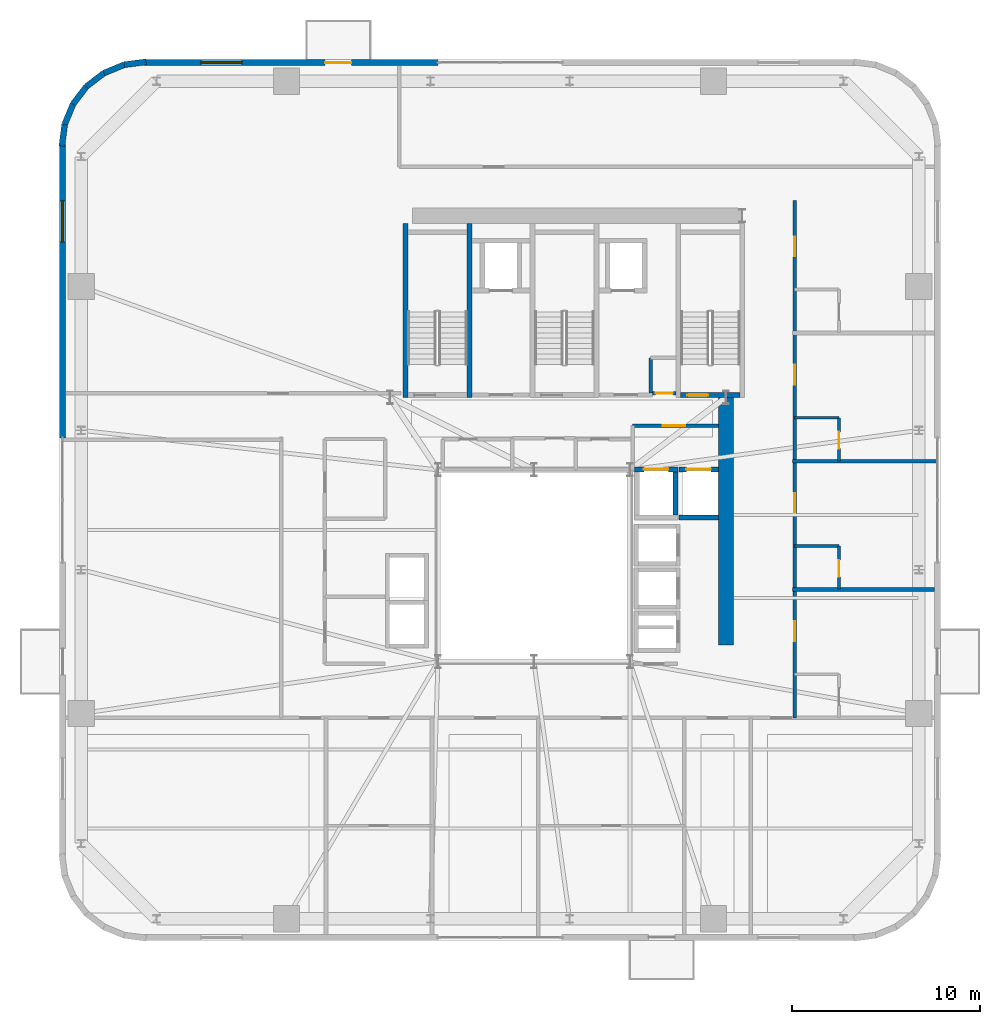
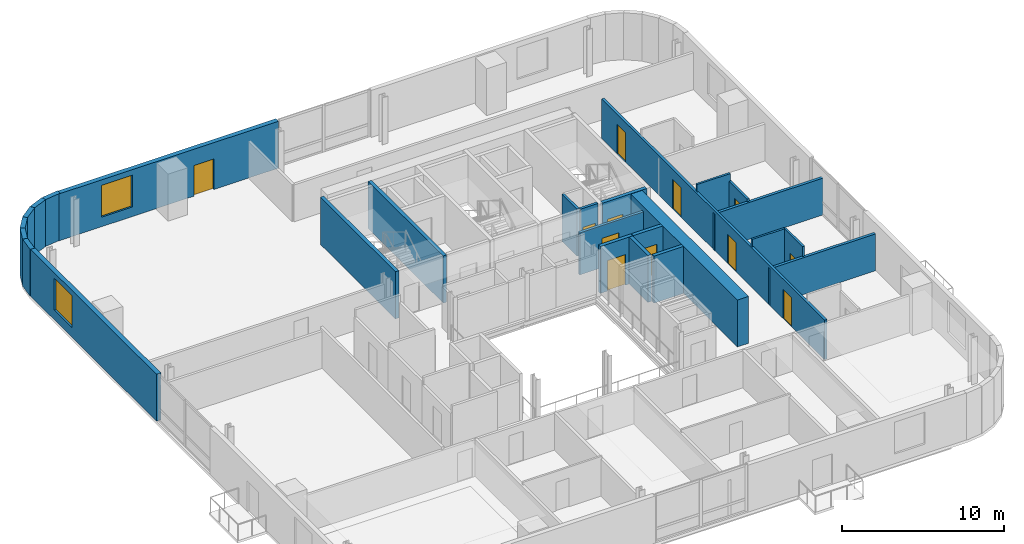
# One storey, part 10 of 15: 26 walls, 12 doors, 2 windows, 14 openings.
"""IFC4 building model written with IfcOpenShell, lengths in metres."""

from ifc_helpers import new_model, si_unit, direction, frame, frame_2d, origin, place, context, subcontext, project, spatial, rectangle, extrude, source, transform, mapped, material, layer, layer_set, type_object, element, fill, save


model = new_model("IFC4")

# Units and contexts
model_context = context("Model", 3, precision=1e-05, world=origin(), true_north=direction((0.0, 1.0)))
body_context = subcontext(model_context, "Body", "Model", "MODEL_VIEW")
ifc_project = project(units=[si_unit("LENGTHUNIT", "METRE"), si_unit("AREAUNIT", "SQUARE_METRE"), si_unit("VOLUMEUNIT", "CUBIC_METRE"), si_unit("PLANEANGLEUNIT", "RADIAN"), si_unit("MASSUNIT", "GRAM", prefix="KILO")], contexts=[model_context])

# Site, building, storey
site_placement = place(None, origin())
site = spatial("IfcSite", under=ifc_project, at=site_placement, CompositionType="ELEMENT")
building_placement = place(site_placement, origin())
building = spatial("IfcBuilding", under=site, at=building_placement, Name="Vardaveli Station Tower", CompositionType="ELEMENT")
storey_placement = place(building_placement, frame((0.0, 0.0, 229.800048828125)))
storey = spatial("IfcBuildingStorey", under=building, at=storey_placement, Name="L59", CompositionType="ELEMENT", Elevation=229.800048828125)

# Wall
ifc_material_1 = material(Name="Concrete C50/60", Category="concrete")
ifc_layer_1 = layer(ifc_material_1, 0.800048828125, Name="Concrete C50/60")
ifc_layer_set_1 = layer_set([ifc_layer_1], Name="Concrete C50/60")
wall_type_1 = type_object("IfcWallType", Name="WAL-CORE-800", PredefinedType="SHEAR", material=ifc_layer_set_1)
shared_shape_1 = source(origin(), body_context, "Body", "SweptSolid", [
    extrude(rectangle(XDim=13.14990234375, YDim=0.800048828125, at=frame_2d((6.574951171875, 0.0))), origin(), (0.0, 0.0, 1.0), 3.530029296875),
])
wall_1_placement = place(storey_placement, frame((46.5, 17.5, 0.0), z_axis=(0.0, 0.0, 1.0), x_axis=(0.0, 1.0, 0.0)))
element("IfcWall", 1, at=wall_1_placement, inside=storey, type_object=wall_type_1, Name="SW-L59-EAST2", PredefinedType="SHEAR", context=body_context, shape_type="MappedRepresentation", body=[
    mapped(shared_shape_1, transform((0.0, 0.0, 0.0), scale=1.0)),
])

# Wall, openings, door, window
ifc_material_2 = material(Name="Precast concrete C45/55", Category="concrete")
ifc_layer_2 = layer(ifc_material_2, 0.320068359375, Name="Precast concrete C45/55")
ifc_layer_set_2 = layer_set([ifc_layer_2], Name="Precast concrete C45/55")
wall_type_2 = type_object("IfcWallType", Name="WAL-EXT-STONE-320", PredefinedType="SOLIDWALL", material=ifc_layer_set_2)
shared_shape_2 = source(origin(), body_context, "Body", "SweptSolid", [
    extrude(rectangle(XDim=15.599853515625, YDim=0.320068359375, at=frame_2d((7.7998046875, 0.0))), origin(), (0.0, 0.0, 1.0), 3.530029296875),
])
wall_2_placement = place(storey_placement, frame((31.199951171875, 48.43994140625, 0.0), z_axis=(0.0, 0.0, 1.0), x_axis=(-1.0, 0.0, 0.0)))
wall_2 = element("IfcWall", 2, at=wall_2_placement, inside=storey, type_object=wall_type_2, Name="EW-L59-N2", PredefinedType="SOLIDWALL", context=body_context, shape_type="MappedRepresentation", body=[
    mapped(shared_shape_2, transform((0.0, 0.0, 0.0), scale=1.0)),
])
shared_shape_3 = source(origin(), body_context, "Body", "SweptSolid", [
    extrude(rectangle(XDim=1.39990234375, YDim=2.300048828125, at=frame_2d((0.699951171875, 1.14990234375))), frame((0.0, 0.169921875, 0.0), z_axis=(0.0, -1.0, 0.0), x_axis=(1.0, 0.0, 0.0)), (0.0, 0.0, 1.0), 0.340087890625),
])
opening_1_placement = place(wall_2_placement, frame((4.589599609375, 0.0, 0.0)))
opening_1 = element("IfcOpeningElement", 3, at=opening_1_placement, cuts=wall_2, Name="Opening D-09", PredefinedType="OPENING", context=body_context, shape_type="MappedRepresentation", body=[
    mapped(shared_shape_3, transform((0.0, 0.0, 0.0), scale=1.0)),
])
shared_shape_4 = source(origin(), body_context, "Body", "SweptSolid", [
    extrude(rectangle(XDim=2.199951171875, YDim=2.39990234375, at=frame_2d((1.10009765625, 1.199951171875))), frame((0.0, 0.169921875, 0.0), z_axis=(0.0, -1.0, 0.0), x_axis=(1.0, 0.0, 0.0)), (0.0, 0.0, 1.0), 0.340087890625),
])
opening_2_placement = place(wall_2_placement, frame((10.39501953125, 0.0, 0.719970703125)))
opening_2 = element("IfcOpeningElement", 4, at=opening_2_placement, cuts=wall_2, Name="Opening W-03", PredefinedType="OPENING", context=body_context, shape_type="MappedRepresentation", body=[
    mapped(shared_shape_4, transform((0.0, 0.0, 0.0), scale=1.0)),
])
ifc_material_3 = material(Name="Thermally broken aluminium glass", Category="aluminium")
door_type_1 = type_object("IfcDoorType", Name="DR-LOG-1400x2300", OperationType="DOUBLE_DOOR_SLIDING", PredefinedType="DOOR", material=ifc_material_3)
shared_shape_5 = source(origin(), body_context, "Body", "SweptSolid", [
    extrude(rectangle(XDim=1.39990234375, YDim=2.300048828125, at=frame_2d((0.699951171875, 1.14990234375))), frame((0.0, 0.02490234375, 0.0), z_axis=(0.0, -1.0, 0.0), x_axis=(1.0, 0.0, 0.0)), (0.0, 0.0, 1.0), 0.050048828125),
])
door_1_placement = place(opening_1_placement, frame((1.39990234375, 0.0, 0.0), z_axis=(0.0, 0.0, 1.0), x_axis=(-1.0, 0.0, 0.0)))
door_1 = element("IfcDoor", 5, at=door_1_placement, inside=storey, type_object=door_type_1, Name="DLG-L59-N", OperationType="DOUBLE_DOOR_SLIDING", OverallHeight=2.300048828125, OverallWidth=1.39990234375, PredefinedType="DOOR", context=body_context, shape_type="MappedRepresentation", body=[
    mapped(shared_shape_5, transform((0.0, 0.0, 0.0), scale=1.0)),
])
fill(opening_1, door_1)
ifc_material_4 = material(Name="Low-E solar-control glass", Category="glass")
window_type = type_object("IfcWindowType", Name="WIN-LOG-2200x2400", PartitioningType="SINGLE_PANEL", PredefinedType="WINDOW", material=ifc_material_4)
shared_shape_6 = source(origin(), body_context, "Body", "SweptSolid", [
    extrude(rectangle(XDim=2.199951171875, YDim=2.39990234375, at=frame_2d((1.10009765625, 1.199951171875))), frame((0.0, 0.030029296875, 0.0), z_axis=(0.0, -1.0, 0.0), x_axis=(1.0, 0.0, 0.0)), (0.0, 0.0, 1.0), 0.06005859375),
])
window_1_placement = place(opening_2_placement, origin())
window_1 = element("IfcWindow", 6, at=window_1_placement, inside=storey, type_object=window_type, Name="WN-L59-N2", OverallHeight=2.39990234375, OverallWidth=2.199951171875, PartitioningType="SINGLE_PANEL", PredefinedType="WINDOW", context=body_context, shape_type="MappedRepresentation", body=[
    mapped(shared_shape_6, transform((0.0, 0.0, 0.0), scale=1.0)),
])
fill(opening_2, window_1)

# Wall, opening, window
shared_shape_7 = source(origin(), body_context, "Body", "SweptSolid", [
    extrude(rectangle(XDim=15.60009765625, YDim=0.320068359375, at=frame_2d((7.800048828125, 0.0))), origin(), (0.0, 0.0, 1.0), 3.530029296875),
])
wall_3_placement = place(storey_placement, frame((11.260009765625, 44.10009765625, 0.0), z_axis=(0.0, 0.0, 1.0), x_axis=(0.0, -1.0, 0.0)))
wall_3 = element("IfcWall", 7, at=wall_3_placement, inside=storey, type_object=wall_type_2, Name="EW-L59-W1", PredefinedType="SOLIDWALL", context=body_context, shape_type="MappedRepresentation", body=[
    mapped(shared_shape_7, transform((0.0, 0.0, 0.0), scale=1.0)),
])
opening_3_placement = place(wall_3_placement, frame((3.0048828125, 0.0, 0.719970703125)))
opening_3 = element("IfcOpeningElement", 8, at=opening_3_placement, cuts=wall_3, Name="Opening W-03", PredefinedType="OPENING", context=body_context, shape_type="MappedRepresentation", body=[
    mapped(shared_shape_4, transform((0.0, 0.0, 0.0), scale=1.0)),
])
window_2_placement = place(opening_3_placement, origin())
window_2 = element("IfcWindow", 9, at=window_2_placement, inside=storey, type_object=window_type, Name="WN-L59-W1", OverallHeight=2.39990234375, OverallWidth=2.199951171875, PartitioningType="SINGLE_PANEL", PredefinedType="WINDOW", context=body_context, shape_type="MappedRepresentation", body=[
    mapped(shared_shape_6, transform((0.0, 0.0, 0.0), scale=1.0)),
])
fill(opening_3, window_2)

# Walls
shared_shape_8 = source(origin(), body_context, "Body", "SweptSolid", [
    extrude(rectangle(XDim=1.1689453125, YDim=0.320068359375, at=frame_2d((0.58447265625, 0.0))), origin(), (0.0, 0.0, 1.0), 3.530029296875),
])
wall_4_placement = place(storey_placement, frame((12.53125, 47.1689453125, 0.0), z_axis=(0.0, 0.0, 1.0), x_axis=(-0.608387696831, -0.793639975269, 0.0)))
element("IfcWall", 10, at=wall_4_placement, inside=storey, type_object=wall_type_2, Name="EW-L59-CR4-4", PredefinedType="SOLIDWALL", context=body_context, shape_type="MappedRepresentation", body=[
    mapped(shared_shape_8, transform((0.0, 0.0, 0.0), scale=1.0)),
])
shared_shape_9 = source(origin(), body_context, "Body", "SweptSolid", [
    extrude(rectangle(XDim=1.168701171875, YDim=0.320068359375, at=frame_2d((0.58447265625, 0.0))), origin(), (0.0, 0.0, 1.0), 3.530029296875),
])
wall_5_placement = place(storey_placement, frame((13.458740234375, 47.8798828125, 0.0), z_axis=(0.0, 0.0, 1.0), x_axis=(-0.793663520347, -0.608356981114, 0.0)))
element("IfcWall", 11, at=wall_5_placement, inside=storey, type_object=wall_type_2, Name="EW-L59-CR4-3", PredefinedType="SOLIDWALL", context=body_context, shape_type="MappedRepresentation", body=[
    mapped(shared_shape_9, transform((0.0, 0.0, 0.0), scale=1.0)),
])
shared_shape_10 = source(origin(), body_context, "Body", "SweptSolid", [
    extrude(rectangle(XDim=1.17041015625, YDim=0.320068359375, at=frame_2d((0.585205078125, 0.0))), origin(), (0.0, 0.0, 1.0), 3.530029296875),
])
for number, where, z_axis, x_axis, name in (
    (12, (15.700439453125, 48.4755859375, 0.0), (0.0, 0.0, 1.0), (-0.991735963317, -0.128295670475, 0.0), "EW-L59-CR4-1"),
    (13, (11.37451171875, 45.16015625, 0.0), (0.0, 0.0, 1.0), (-0.128295670475, -0.991735963317, 0.0), "EW-L59-CR4-6"),
):
    element("IfcWall", number, at=place(storey_placement, frame(where, z_axis=z_axis, x_axis=x_axis)), inside=storey, type_object=wall_type_2, Name=name, PredefinedType="SOLIDWALL", context=body_context, shape_type="MappedRepresentation", body=[
        mapped(shared_shape_10, transform((0.0, 0.0, 0.0), scale=1.0)),
    ])
shared_shape_11 = source(origin(), body_context, "Body", "SweptSolid", [
    extrude(rectangle(XDim=1.169189453125, YDim=0.320068359375, at=frame_2d((0.58447265625, 0.0))), origin(), (0.0, 0.0, 1.0), 3.530029296875),
])
for number, where, z_axis, x_axis, name in (
    (14, (14.539794921875, 48.325439453125, 0.0), (0.0, 0.0, 1.0), (-0.924552646638, -0.381054331552, 0.0), "EW-L59-CR4-2"),
    (15, (11.820068359375, 46.2412109375, 0.0), (0.0, 0.0, 1.0), (-0.381054331552, -0.924552646638, 0.0), "EW-L59-CR4-5"),
):
    element("IfcWall", number, at=place(storey_placement, frame(where, z_axis=z_axis, x_axis=x_axis)), inside=storey, type_object=wall_type_2, Name=name, PredefinedType="SOLIDWALL", context=body_context, shape_type="MappedRepresentation", body=[
        mapped(shared_shape_11, transform((0.0, 0.0, 0.0), scale=1.0)),
    ])
ifc_material_5 = material(Name="Concrete C40/50", Category="concrete")
ifc_layer_3 = layer(ifc_material_5, 0.25, Name="Concrete C40/50")
ifc_layer_set_3 = layer_set([ifc_layer_3], Name="Concrete C40/50")
wall_type_3 = type_object("IfcWallType", Name="WAL-SHAFT-250", PredefinedType="SOLIDWALL", material=ifc_layer_set_3)
shared_shape_12 = source(origin(), body_context, "Body", "SweptSolid", [
    extrude(rectangle(XDim=9.25, YDim=0.25, at=frame_2d((4.625, 0.0))), origin(), (0.0, 0.0, 1.0), 3.550048828125),
])
for number, where, z_axis, x_axis, name in (
    (16, (29.47509765625, 30.64990234375, 0.0), (0.0, 0.0, 1.0), (0.0, 1.0, 0.0), "W-L59-ST-1W"),
    (17, (32.875, 30.64990234375, 0.0), (0.0, 0.0, 1.0), (0.0, 1.0, 0.0), "W-L59-ST-1E"),
):
    element("IfcWall", number, at=place(storey_placement, frame(where, z_axis=z_axis, x_axis=x_axis)), inside=storey, type_object=wall_type_3, Name=name, PredefinedType="SOLIDWALL", context=body_context, shape_type="MappedRepresentation", body=[
        mapped(shared_shape_12, transform((0.0, 0.0, 0.0), scale=1.0)),
    ])

# Wall, opening, door
shared_shape_13 = source(origin(), body_context, "Body", "SweptSolid", [
    extrude(rectangle(XDim=3.14990234375, YDim=0.25, at=frame_2d((1.574951171875, 0.0))), origin(), (0.0, 0.0, 1.0), 3.550048828125),
])
wall_6_placement = place(storey_placement, frame((44.10009765625, 30.77490234375, 0.0), z_axis=(0.0, 0.0, 1.0), x_axis=(1.0, 0.0, 0.0)))
wall_6 = element("IfcWall", 18, at=wall_6_placement, inside=storey, type_object=wall_type_3, Name="W-L59-ST-3S", PredefinedType="SOLIDWALL", context=body_context, shape_type="MappedRepresentation", body=[
    mapped(shared_shape_13, transform((0.0, 0.0, 0.0), scale=1.0)),
])
shared_shape_14 = source(origin(), body_context, "Body", "SweptSolid", [
    extrude(rectangle(XDim=1.10009765625, YDim=2.199951171875, at=frame_2d((0.550048828125, 1.10009765625))), frame((0.0, 0.135009765625, 0.0), z_axis=(0.0, -1.0, 0.0), x_axis=(1.0, 0.0, 0.0)), (0.0, 0.0, 1.0), 0.27001953125),
])
opening_4_placement = place(wall_6_placement, frame((0.35009765625, 0.0, 0.0)))
opening_4 = element("IfcOpeningElement", 19, at=opening_4_placement, cuts=wall_6, Name="Opening D-04", PredefinedType="OPENING", context=body_context, shape_type="MappedRepresentation", body=[
    mapped(shared_shape_14, transform((0.0, 0.0, 0.0), scale=1.0)),
])
ifc_material_6 = material(Name="Steel smokeproof fire doorset", Category="steel")
door_type_2 = type_object("IfcDoorType", Name="DR-ST-1100x2200", OperationType="NOTDEFINED", PredefinedType="DOOR", material=ifc_material_6)
shared_shape_15 = source(origin(), body_context, "Body", "SweptSolid", [
    extrude(rectangle(XDim=1.10009765625, YDim=2.199951171875, at=frame_2d((0.550048828125, 1.10009765625))), frame((0.0, 0.02490234375, 0.0), z_axis=(0.0, -1.0, 0.0), x_axis=(1.0, 0.0, 0.0)), (0.0, 0.0, 1.0), 0.050048828125),
])
door_2_placement = place(opening_4_placement, origin())
door_2 = element("IfcDoor", 20, at=door_2_placement, inside=storey, type_object=door_type_2, Name="DST-3-L59", OperationType="SINGLE_SWING_LEFT", OverallHeight=2.199951171875, OverallWidth=1.10009765625, PredefinedType="DOOR", context=body_context, shape_type="MappedRepresentation", body=[
    mapped(shared_shape_15, transform((0.0, 0.0, 0.0), scale=1.0)),
])
fill(opening_4, door_2)

shared_shape_16 = source(origin(), body_context, "Body", "SweptSolid", [
    extrude(rectangle(XDim=2.300048828125, YDim=0.25, at=frame_2d((1.14990234375, 0.0))), origin(), (0.0, 0.0, 1.0), 3.530029296875),
])
wall_7_placement = place(storey_placement, frame((41.64990234375, 26.824951171875, 0.0), z_axis=(0.0, 0.0, 1.0), x_axis=(1.0, 0.0, 0.0)))
wall_7 = element("IfcWall", 21, at=wall_7_placement, inside=storey, type_object=wall_type_3, Name="SHW-SRV-01-L59-N", PredefinedType="SOLIDWALL", context=body_context, shape_type="MappedRepresentation", body=[
    mapped(shared_shape_16, transform((0.0, 0.0, 0.0), scale=1.0)),
])
shared_shape_17 = source(origin(), body_context, "Body", "SweptSolid", [
    extrude(rectangle(XDim=1.300048828125, YDim=2.300048828125, at=frame_2d((0.64990234375, 1.14990234375))), frame((0.0, 0.135009765625, 0.0), z_axis=(0.0, -1.0, 0.0), x_axis=(1.0, 0.0, 0.0)), (0.0, 0.0, 1.0), 0.27001953125),
])
opening_5_placement = place(wall_7_placement, frame((0.5, 0.0, 0.0)))
opening_5 = element("IfcOpeningElement", 22, at=opening_5_placement, cuts=wall_7, Name="Opening LD-03", PredefinedType="OPENING", context=body_context, shape_type="MappedRepresentation", body=[
    mapped(shared_shape_17, transform((0.0, 0.0, 0.0), scale=1.0)),
])
ifc_material_7 = material(Name="Brushed stainless steel", Category="steel")
door_type_3 = type_object("IfcDoorType", Name="DR-LD-1300x2300", OperationType="DOUBLE_DOOR_SLIDING", PredefinedType="DOOR", material=ifc_material_7)
shared_shape_18 = source(origin(), body_context, "Body", "SweptSolid", [
    extrude(rectangle(XDim=1.300048828125, YDim=2.300048828125, at=frame_2d((0.64990234375, 1.14990234375))), frame((0.0, 0.02490234375, 0.0), z_axis=(0.0, -1.0, 0.0), x_axis=(1.0, 0.0, 0.0)), (0.0, 0.0, 1.0), 0.050048828125),
])
door_3_placement = place(opening_5_placement, origin())
door_3 = element("IfcDoor", 23, at=door_3_placement, inside=storey, type_object=door_type_3, Name="LD-SRV-01-L59", OperationType="DOUBLE_DOOR_SLIDING", OverallHeight=2.300048828125, OverallWidth=1.300048828125, PredefinedType="DOOR", context=body_context, shape_type="MappedRepresentation", body=[
    mapped(shared_shape_18, transform((0.0, 0.0, 0.0), scale=1.0)),
])
fill(opening_5, door_3)

# Walls
wall_8_placement = place(storey_placement, frame((43.824951171875, 24.39990234375, 0.0), z_axis=(0.0, 0.0, 1.0), x_axis=(0.0, 1.0, 0.0)))
element("IfcWall", 24, at=wall_8_placement, inside=storey, type_object=wall_type_3, Name="SHW-SRV-01-L59-E", PredefinedType="SOLIDWALL", context=body_context, shape_type="MappedRepresentation", body=[
    mapped(shared_shape_16, transform((0.0, 0.0, 0.0), scale=1.0)),
])
shared_shape_19 = source(origin(), body_context, "Body", "SweptSolid", [
    extrude(rectangle(XDim=2.10009765625, YDim=0.25, at=frame_2d((1.050048828125, 0.0))), origin(), (0.0, 0.0, 1.0), 3.530029296875),
])
wall_9_placement = place(storey_placement, frame((44.0, 24.27490234375, 0.0), z_axis=(0.0, 0.0, 1.0), x_axis=(1.0, 0.0, 0.0)))
element("IfcWall", 25, at=wall_9_placement, inside=storey, type_object=wall_type_3, Name="SHW-SRV-02-L59-S", PredefinedType="SOLIDWALL", context=body_context, shape_type="MappedRepresentation", body=[
    mapped(shared_shape_19, transform((0.0, 0.0, 0.0), scale=1.0)),
])

# Wall, opening, door
wall_10_placement = place(storey_placement, frame((44.0, 26.824951171875, 0.0), z_axis=(0.0, 0.0, 1.0), x_axis=(1.0, 0.0, 0.0)))
wall_10 = element("IfcWall", 26, at=wall_10_placement, inside=storey, type_object=wall_type_3, Name="SHW-SRV-02-L59-N", PredefinedType="SOLIDWALL", context=body_context, shape_type="MappedRepresentation", body=[
    mapped(shared_shape_19, transform((0.0, 0.0, 0.0), scale=1.0)),
])
opening_6_placement = place(wall_10_placement, frame((0.39990234375, 0.0, 0.0)))
opening_6 = element("IfcOpeningElement", 27, at=opening_6_placement, cuts=wall_10, Name="Opening LD-03", PredefinedType="OPENING", context=body_context, shape_type="MappedRepresentation", body=[
    mapped(shared_shape_17, transform((0.0, 0.0, 0.0), scale=1.0)),
])
door_4_placement = place(opening_6_placement, origin())
door_4 = element("IfcDoor", 28, at=door_4_placement, inside=storey, type_object=door_type_3, Name="LD-SRV-02-L59", OperationType="DOUBLE_DOOR_SLIDING", OverallHeight=2.300048828125, OverallWidth=1.300048828125, PredefinedType="DOOR", context=body_context, shape_type="MappedRepresentation", body=[
    mapped(shared_shape_18, transform((0.0, 0.0, 0.0), scale=1.0)),
])
fill(opening_6, door_4)

ifc_material_8 = material(Name="Fire-rated gypsum stud partition")
ifc_layer_4 = layer(ifc_material_8, 0.179931640625, Name="Fire-rated gypsum stud partition")
ifc_layer_set_4 = layer_set([ifc_layer_4], Name="Fire-rated gypsum stud partition")
wall_type_4 = type_object("IfcWallType", Name="WAL-CORR-180", PredefinedType="PARTITIONING", material=ifc_layer_set_4)
shared_shape_20 = source(origin(), body_context, "Body", "SweptSolid", [
    extrude(rectangle(XDim=4.5478515625, YDim=0.179931640625, at=frame_2d((2.27392578125, 0.0))), origin(), (0.0, 0.0, 1.0), 3.161865234375),
])
wall_11_placement = place(storey_placement, frame((41.550048828125, 29.14990234375, 0.0), z_axis=(0.0, 0.0, 1.0), x_axis=(1.0, 0.0, 0.0)))
wall_11 = element("IfcWall", 29, at=wall_11_placement, inside=storey, type_object=wall_type_4, Name="W-L59-SVFN", PredefinedType="PARTITIONING", context=body_context, shape_type="MappedRepresentation", body=[
    mapped(shared_shape_20, transform((0.0, 0.0, 0.0), scale=1.0)),
])
shared_shape_21 = source(origin(), body_context, "Body", "SweptSolid", [
    extrude(rectangle(XDim=1.199951171875, YDim=2.199951171875, at=frame_2d((0.60009765625, 1.10009765625))), frame((0.0, 0.10009765625, 0.0), z_axis=(0.0, -1.0, 0.0), x_axis=(1.0, 0.0, 0.0)), (0.0, 0.0, 1.0), 0.199951171875),
])
opening_7_placement = place(wall_11_placement, frame((1.60009765625, 0.0, 0.0)))
opening_7 = element("IfcOpeningElement", 30, at=opening_7_placement, cuts=wall_11, Name="Opening D-03", PredefinedType="OPENING", context=body_context, shape_type="MappedRepresentation", body=[
    mapped(shared_shape_21, transform((0.0, 0.0, 0.0), scale=1.0)),
])
door_type_4 = type_object("IfcDoorType", Name="DR-FFL-1200x2200", OperationType="NOTDEFINED", PredefinedType="DOOR", material=ifc_material_6)
shared_shape_22 = source(origin(), body_context, "Body", "SweptSolid", [
    extrude(rectangle(XDim=1.199951171875, YDim=2.199951171875, at=frame_2d((0.60009765625, 1.10009765625))), frame((0.0, 0.02490234375, 0.0), z_axis=(0.0, -1.0, 0.0), x_axis=(1.0, 0.0, 0.0)), (0.0, 0.0, 1.0), 0.050048828125),
])
door_5_placement = place(opening_7_placement, origin())
door_5 = element("IfcDoor", 31, at=door_5_placement, inside=storey, type_object=door_type_4, Name="D-L59-SVF", OperationType="SINGLE_SWING_RIGHT", OverallHeight=2.199951171875, OverallWidth=1.199951171875, PredefinedType="DOOR", context=body_context, shape_type="MappedRepresentation", body=[
    mapped(shared_shape_22, transform((0.0, 0.0, 0.0), scale=1.0)),
])
fill(opening_7, door_5)

ifc_material_9 = material(Name="Moisture-resistant stud partition")
ifc_layer_5 = layer(ifc_material_9, 0.14990234375, Name="Moisture-resistant stud partition")
ifc_layer_set_5 = layer_set([ifc_layer_5], Name="Moisture-resistant stud partition")
wall_type_5 = type_object("IfcWallType", Name="WAL-WET-150", PredefinedType="PARTITIONING", material=ifc_layer_set_5)
shared_shape_23 = source(origin(), body_context, "Body", "SweptSolid", [
    extrude(rectangle(XDim=2.2900390625, YDim=0.14990234375, at=frame_2d((1.14501953125, 0.0))), origin(), (0.0, 0.0, 1.0), 2.971923828125),
])
wall_12_placement = place(storey_placement, frame((52.510009765625, 27.27490234375, 0.0), z_axis=(0.0, 0.0, 1.0), x_axis=(0.0, 1.0, 0.0)))
wall_12 = element("IfcWall", 32, at=wall_12_placement, inside=storey, type_object=wall_type_5, Name="W-L59-BE3-E", PredefinedType="PARTITIONING", context=body_context, shape_type="MappedRepresentation", body=[
    mapped(shared_shape_23, transform((0.0, 0.0, 0.0), scale=1.0)),
])
shared_shape_24 = source(origin(), body_context, "Body", "SweptSolid", [
    extrude(rectangle(XDim=0.89990234375, YDim=2.10009765625, at=frame_2d((0.449951171875, 1.050048828125))), frame((0.0, 0.0849609375, 0.0), z_axis=(0.0, -1.0, 0.0), x_axis=(1.0, 0.0, 0.0)), (0.0, 0.0, 1.0), 0.169921875),
])
opening_8_placement = place(wall_12_placement, frame((0.64990234375, 0.0, 0.0)))
opening_8 = element("IfcOpeningElement", 33, at=opening_8_placement, cuts=wall_12, Name="Opening D-08", PredefinedType="OPENING", context=body_context, shape_type="MappedRepresentation", body=[
    mapped(shared_shape_24, transform((0.0, 0.0, 0.0), scale=1.0)),
])
ifc_material_10 = material(Name="Moisture-resistant oak door")
door_type_5 = type_object("IfcDoorType", Name="DR-BATH-900x2100", OperationType="NOTDEFINED", PredefinedType="DOOR", material=ifc_material_10)
shared_shape_25 = source(origin(), body_context, "Body", "SweptSolid", [
    extrude(rectangle(XDim=0.89990234375, YDim=2.10009765625, at=frame_2d((0.449951171875, 1.050048828125))), frame((0.0, 0.02490234375, 0.0), z_axis=(0.0, -1.0, 0.0), x_axis=(1.0, 0.0, 0.0)), (0.0, 0.0, 1.0), 0.050048828125),
])
door_6_placement = place(opening_8_placement, origin())
door_6 = element("IfcDoor", 34, at=door_6_placement, inside=storey, type_object=door_type_5, Name="D-L59-BE3", OperationType="SINGLE_SWING_LEFT", OverallHeight=2.10009765625, OverallWidth=0.89990234375, PredefinedType="DOOR", context=body_context, shape_type="MappedRepresentation", body=[
    mapped(shared_shape_25, transform((0.0, 0.0, 0.0), scale=1.0)),
])
fill(opening_8, door_6)

shared_shape_26 = source(origin(), body_context, "Body", "SweptSolid", [
    extrude(rectangle(XDim=1.247802734375, YDim=0.179931640625, at=frame_2d((0.6240234375, 0.0))), origin(), (0.0, 0.0, 1.0), 3.530029296875),
])
wall_13_placement = place(storey_placement, frame((42.60009765625, 30.8798828125, 0.0), z_axis=(0.0, 0.0, 1.0), x_axis=(1.0, 0.0, 0.0)))
wall_13 = element("IfcWall", 35, at=wall_13_placement, inside=storey, type_object=wall_type_4, Name="W-L59-CBS2A-S", PredefinedType="PARTITIONING", context=body_context, shape_type="MappedRepresentation", body=[
    mapped(shared_shape_26, transform((0.0, 0.0, 0.0), scale=1.0)),
])
shared_shape_27 = source(origin(), body_context, "Body", "SweptSolid", [
    extrude(rectangle(XDim=0.919921875, YDim=2.10009765625, at=frame_2d((0.4599609375, 1.050048828125))), frame((0.0, 0.10009765625, 0.0), z_axis=(0.0, -1.0, 0.0), x_axis=(1.0, 0.0, 0.0)), (0.0, 0.0, 1.0), 0.199951171875),
])
opening_9_placement = place(wall_13_placement, frame((0.1640625, 0.0, 0.0)))
opening_9 = element("IfcOpeningElement", 36, at=opening_9_placement, cuts=wall_13, Name="Opening D-07", PredefinedType="OPENING", context=body_context, shape_type="MappedRepresentation", body=[
    mapped(shared_shape_27, transform((0.0, 0.0, 0.0), scale=1.0)),
])
ifc_material_11 = material(Name="Moisture-resistant hardwood door", Category="wood")
door_type_6 = type_object("IfcDoorType", Name="DR-WC-920x2100", OperationType="NOTDEFINED", PredefinedType="DOOR", material=ifc_material_11)
shared_shape_28 = source(origin(), body_context, "Body", "SweptSolid", [
    extrude(rectangle(XDim=0.919921875, YDim=2.10009765625, at=frame_2d((0.4599609375, 1.050048828125))), frame((0.0, 0.02490234375, 0.0), z_axis=(0.0, -1.0, 0.0), x_axis=(1.0, 0.0, 0.0)), (0.0, 0.0, 1.0), 0.050048828125),
])
door_7_placement = place(opening_9_placement, origin())
door_7 = element("IfcDoor", 37, at=door_7_placement, inside=storey, type_object=door_type_6, Name="D-L59-CBS1", OperationType="SINGLE_SWING_LEFT", OverallHeight=2.10009765625, OverallWidth=0.919921875, PredefinedType="DOOR", context=body_context, shape_type="MappedRepresentation", body=[
    mapped(shared_shape_28, transform((0.0, 0.0, 0.0), scale=1.0)),
])
fill(opening_9, door_7)

# Walls
ifc_material_12 = material(Name="Acoustic twin-stud gypsum partition")
ifc_layer_6 = layer(ifc_material_12, 0.199951171875, Name="Acoustic twin-stud gypsum partition")
ifc_layer_set_6 = layer_set([ifc_layer_6], Name="Acoustic twin-stud gypsum partition")
wall_type_6 = type_object("IfcWallType", Name="WAL-PARTY-200", PredefinedType="PARTITIONING", material=ifc_layer_set_6)
shared_shape_29 = source(origin(), body_context, "Body", "SweptSolid", [
    extrude(rectangle(XDim=7.52783203125, YDim=0.199951171875, at=frame_2d((3.763916015625, 0.0))), origin(), (0.0, 0.0, 1.0), 2.77197265625),
])
wall_14_placement = place(storey_placement, frame((50.050048828125, 20.44189453125, 0.0), z_axis=(0.0, 0.0, 1.0), x_axis=(1.0, 0.0, 0.0)))
element("IfcWall", 38, at=wall_14_placement, inside=storey, type_object=wall_type_6, Name="W-L59-PE1", PredefinedType="PARTITIONING", context=body_context, shape_type="MappedRepresentation", body=[
    mapped(shared_shape_29, transform((0.0, 0.0, 0.0), scale=1.0)),
])
shared_shape_30 = source(origin(), body_context, "Body", "SweptSolid", [
    extrude(rectangle(XDim=7.719970703125, YDim=0.199951171875, at=frame_2d((3.85986328125, 0.0))), origin(), (0.0, 0.0, 1.0), 2.77197265625),
])
wall_15_placement = place(storey_placement, frame((50.050048828125, 27.2548828125, 0.0), z_axis=(0.0, 0.0, 1.0), x_axis=(1.0, 0.0, 0.0)))
element("IfcWall", 39, at=wall_15_placement, inside=storey, type_object=wall_type_6, Name="W-L59-PE2", PredefinedType="PARTITIONING", context=body_context, shape_type="MappedRepresentation", body=[
    mapped(shared_shape_30, transform((0.0, 0.0, 0.0), scale=1.0)),
])
shared_shape_31 = source(origin(), body_context, "Body", "SweptSolid", [
    extrude(rectangle(XDim=2.360107421875, YDim=0.14990234375, at=frame_2d((1.18017578125, 0.0))), origin(), (0.0, 0.0, 1.0), 3.530029296875),
])
for number, where, z_axis, x_axis, name in (
    (40, (50.14990234375, 22.751953125, 0.0), (0.0, 0.0, 1.0), (1.0, 0.0, 0.0), "W-L59-BE2-N"),
    (41, (50.14990234375, 29.56494140625, 0.0), (0.0, 0.0, 1.0), (1.0, 0.0, 0.0), "W-L59-BE3-N"),
):
    element("IfcWall", number, at=place(storey_placement, frame(where, z_axis=z_axis, x_axis=x_axis)), inside=storey, type_object=wall_type_5, Name=name, PredefinedType="PARTITIONING", context=body_context, shape_type="MappedRepresentation", body=[
        mapped(shared_shape_31, transform((0.0, 0.0, 0.0), scale=1.0)),
    ])
shared_shape_32 = source(origin(), body_context, "Body", "SweptSolid", [
    extrude(rectangle(XDim=1.85791015625, YDim=0.179931640625, at=frame_2d((0.928955078125, 0.0))), origin(), (0.0, 0.0, 1.0), 3.530029296875),
])
wall_16_placement = place(storey_placement, frame((42.5, 30.89208984375, 0.0), z_axis=(0.0, 0.0, 1.0), x_axis=(0.0, 1.0, 0.0)))
element("IfcWall", 42, at=wall_16_placement, inside=storey, type_object=wall_type_4, Name="W-L59-CBS2A-W", PredefinedType="PARTITIONING", context=body_context, shape_type="MappedRepresentation", body=[
    mapped(shared_shape_32, transform((0.0, 0.0, 0.0), scale=1.0)),
])

# Wall, openings, doors
shared_shape_33 = source(origin(), body_context, "Body", "SweptSolid", [
    extrude(rectangle(XDim=27.47021484375, YDim=0.179931640625, at=frame_2d((13.735107421875, 0.0))), origin(), (0.0, 0.0, 1.0), 2.971923828125),
])
wall_17_placement = place(storey_placement, frame((50.14990234375, 13.6298828125, 0.0), z_axis=(0.0, 0.0, 1.0), x_axis=(0.0, 1.0, 0.0)))
wall_17 = element("IfcWall", 43, at=wall_17_placement, inside=storey, type_object=wall_type_4, Name="W-L59-CE", PredefinedType="PARTITIONING", context=body_context, shape_type="MappedRepresentation", body=[
    mapped(shared_shape_33, transform((0.0, 0.0, 0.0), scale=1.0)),
])
shared_shape_34 = source(origin(), body_context, "Body", "SweptSolid", [
    extrude(rectangle(XDim=1.050048828125, YDim=2.199951171875, at=frame_2d((0.52490234375, 1.10009765625))), frame((0.0, 0.10009765625, 0.0), z_axis=(0.0, -1.0, 0.0), x_axis=(1.0, 0.0, 0.0)), (0.0, 0.0, 1.0), 0.199951171875),
])
opening_10_placement = place(wall_17_placement, frame((4.0712890625, 0.0, 0.0)))
opening_10 = element("IfcOpeningElement", 44, at=opening_10_placement, cuts=wall_17, Name="Opening D-05", PredefinedType="OPENING", context=body_context, shape_type="MappedRepresentation", body=[
    mapped(shared_shape_34, transform((0.0, 0.0, 0.0), scale=1.0)),
])
opening_11_placement = place(wall_17_placement, frame((10.8837890625, 0.0, 0.0)))
opening_11 = element("IfcOpeningElement", 45, at=opening_11_placement, cuts=wall_17, Name="Opening D-05", PredefinedType="OPENING", context=body_context, shape_type="MappedRepresentation", body=[
    mapped(shared_shape_34, transform((0.0, 0.0, 0.0), scale=1.0)),
])
opening_12_placement = place(wall_17_placement, frame((17.6962890625, 0.0, 0.0)))
opening_12 = element("IfcOpeningElement", 46, at=opening_12_placement, cuts=wall_17, Name="Opening D-05", PredefinedType="OPENING", context=body_context, shape_type="MappedRepresentation", body=[
    mapped(shared_shape_34, transform((0.0, 0.0, 0.0), scale=1.0)),
])
opening_13_placement = place(wall_17_placement, frame((24.5087890625, 0.0, 0.0)))
opening_13 = element("IfcOpeningElement", 47, at=opening_13_placement, cuts=wall_17, Name="Opening D-05", PredefinedType="OPENING", context=body_context, shape_type="MappedRepresentation", body=[
    mapped(shared_shape_34, transform((0.0, 0.0, 0.0), scale=1.0)),
])
ifc_material_13 = material(Name="Walnut veneer acoustic fire door")
door_type_7 = type_object("IfcDoorType", Name="DR-SUITE-1050x2200", OperationType="NOTDEFINED", PredefinedType="DOOR", material=ifc_material_13)
shared_shape_35 = source(origin(), body_context, "Body", "SweptSolid", [
    extrude(rectangle(XDim=1.050048828125, YDim=2.199951171875, at=frame_2d((0.52490234375, 1.10009765625))), frame((0.0, 0.02490234375, 0.0), z_axis=(0.0, -1.0, 0.0), x_axis=(1.0, 0.0, 0.0)), (0.0, 0.0, 1.0), 0.050048828125),
])
door_8_placement = place(opening_10_placement, origin())
door_8 = element("IfcDoor", 48, at=door_8_placement, inside=storey, type_object=door_type_7, Name="D-L59-GE1", OperationType="SINGLE_SWING_LEFT", OverallHeight=2.199951171875, OverallWidth=1.050048828125, PredefinedType="DOOR", context=body_context, shape_type="MappedRepresentation", body=[
    mapped(shared_shape_35, transform((0.0, 0.0, 0.0), scale=1.0)),
])
fill(opening_10, door_8)
door_9_placement = place(opening_11_placement, origin())
door_9 = element("IfcDoor", 49, at=door_9_placement, inside=storey, type_object=door_type_7, Name="D-L59-GE2", OperationType="SINGLE_SWING_RIGHT", OverallHeight=2.199951171875, OverallWidth=1.050048828125, PredefinedType="DOOR", context=body_context, shape_type="MappedRepresentation", body=[
    mapped(shared_shape_35, transform((0.0, 0.0, 0.0), scale=1.0)),
])
fill(opening_11, door_9)
door_10_placement = place(opening_12_placement, origin())
door_10 = element("IfcDoor", 50, at=door_10_placement, inside=storey, type_object=door_type_7, Name="D-L59-GE3", OperationType="SINGLE_SWING_LEFT", OverallHeight=2.199951171875, OverallWidth=1.050048828125, PredefinedType="DOOR", context=body_context, shape_type="MappedRepresentation", body=[
    mapped(shared_shape_35, transform((0.0, 0.0, 0.0), scale=1.0)),
])
fill(opening_12, door_10)
door_11_placement = place(opening_13_placement, origin())
door_11 = element("IfcDoor", 51, at=door_11_placement, inside=storey, type_object=door_type_7, Name="D-L59-GE4", OperationType="SINGLE_SWING_RIGHT", OverallHeight=2.199951171875, OverallWidth=1.050048828125, PredefinedType="DOOR", context=body_context, shape_type="MappedRepresentation", body=[
    mapped(shared_shape_35, transform((0.0, 0.0, 0.0), scale=1.0)),
])
fill(opening_13, door_11)

# Wall, opening, door
shared_shape_36 = source(origin(), body_context, "Body", "SweptSolid", [
    extrude(rectangle(XDim=2.2900390625, YDim=0.14990234375, at=frame_2d((1.14501953125, 0.0))), origin(), (0.0, 0.0, 1.0), 3.530029296875),
])
wall_18_placement = place(storey_placement, frame((52.510009765625, 20.4619140625, 0.0), z_axis=(0.0, 0.0, 1.0), x_axis=(0.0, 1.0, 0.0)))
wall_18 = element("IfcWall", 52, at=wall_18_placement, inside=storey, type_object=wall_type_5, Name="W-L59-BE2-E", PredefinedType="PARTITIONING", context=body_context, shape_type="MappedRepresentation", body=[
    mapped(shared_shape_36, transform((0.0, 0.0, 0.0), scale=1.0)),
])
opening_14_placement = place(wall_18_placement, frame((0.64990234375, 0.0, 0.0)))
opening_14 = element("IfcOpeningElement", 53, at=opening_14_placement, cuts=wall_18, Name="Opening D-08", PredefinedType="OPENING", context=body_context, shape_type="MappedRepresentation", body=[
    mapped(shared_shape_24, transform((0.0, 0.0, 0.0), scale=1.0)),
])
door_12_placement = place(opening_14_placement, origin())
door_12 = element("IfcDoor", 54, at=door_12_placement, inside=storey, type_object=door_type_5, Name="D-L59-BE2", OperationType="SINGLE_SWING_RIGHT", OverallHeight=2.10009765625, OverallWidth=0.89990234375, PredefinedType="DOOR", context=body_context, shape_type="MappedRepresentation", body=[
    mapped(shared_shape_25, transform((0.0, 0.0, 0.0), scale=1.0)),
])
fill(opening_14, door_12)

save(model, "model.ifc")
